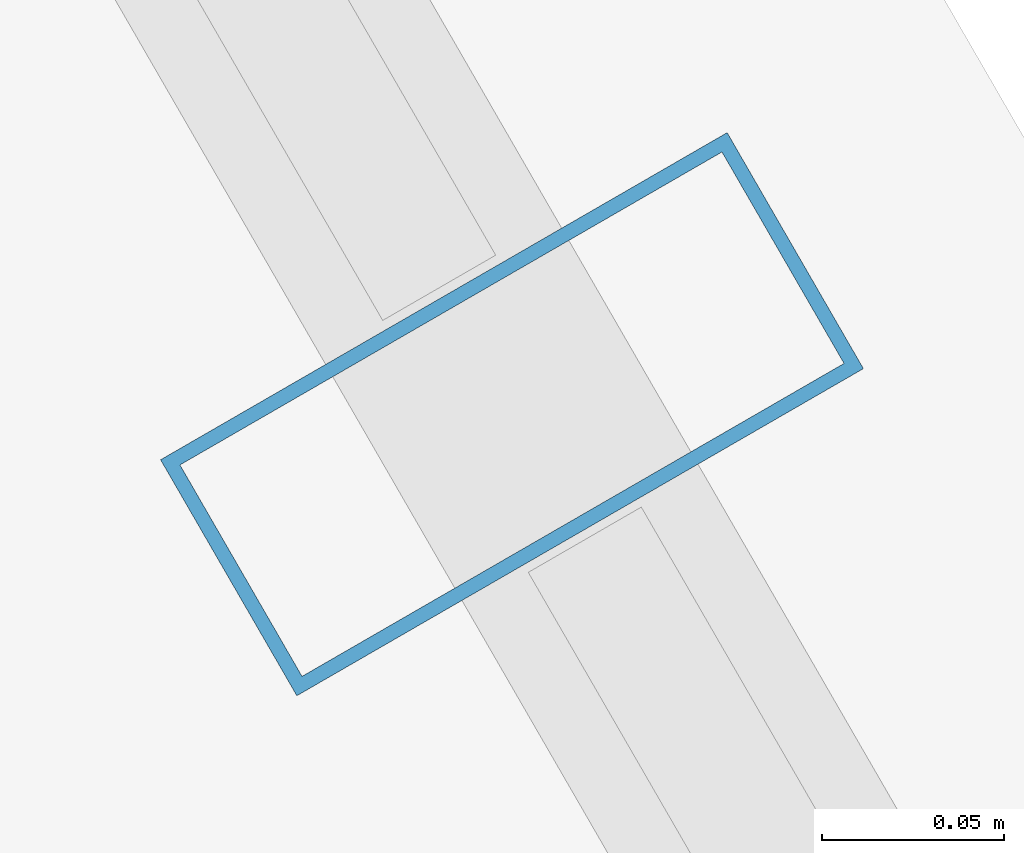
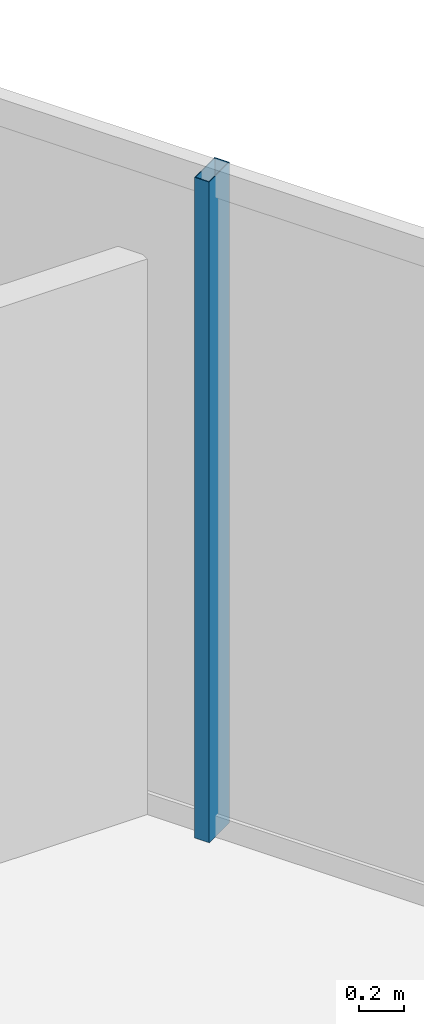
# One storey, part 15 of 34: 1 member, 1 element without a shape of its own.
"""IFC4 building model written with IfcOpenShell, lengths in metres."""

from ifc_helpers import new_model, si_unit, direction, frame, origin, origin_2d, place, context, subcontext, project, spatial, hollow_rectangle, extrude, material, layer, layer_set, material_profile, profile_set, type_object, element, aggregate, save


model = new_model("IFC4")

# Units and contexts
model_context = context("Model", 3, precision=1e-05, world=origin(), true_north=direction((0.0, 1.0)))
body_context = subcontext(model_context, "Body", "Model", "MODEL_VIEW")
ifc_project = project(units=[si_unit("LENGTHUNIT", "METRE"), si_unit("AREAUNIT", "SQUARE_METRE"), si_unit("VOLUMEUNIT", "CUBIC_METRE"), si_unit("PLANEANGLEUNIT", "RADIAN"), si_unit("MASSUNIT", "GRAM", prefix="KILO")], contexts=[model_context])

# Site, building, storey
site_placement = place(None, origin())
site = spatial("IfcSite", under=ifc_project, at=site_placement, CompositionType="ELEMENT")
building_placement = place(site_placement, origin())
building = spatial("IfcBuilding", under=site, at=building_placement, Name="Ndaravel Arena Tower", CompositionType="ELEMENT")
storey_placement = place(building_placement, frame((0.0, 0.0, 195.39990234375)))
storey = spatial("IfcBuildingStorey", under=building, at=storey_placement, Name="L47", CompositionType="ELEMENT", Elevation=195.39990234375)

# Curtain wall, member
ifc_material_1 = material(Name="Aluminium", Category="aluminium")
ifc_layer = layer(ifc_material_1, 0.179931640625)
ifc_layer_set = layer_set([ifc_layer], Name="Aluminium")
curtain_wall_type = type_object("IfcCurtainWallType", Name="CW-SYS-03", PredefinedType="NOTDEFINED", material=ifc_layer_set)
curtain_wall_placement = place(storey_placement, origin())
curtain_wall = element("IfcCurtainWall", 1, at=curtain_wall_placement, inside=storey, type_object=curtain_wall_type, Name="L47 Faceted Crystal Curtain Wall CW-L47-E03", PredefinedType="NOTDEFINED")
ifc_material_2 = material(Name="Aluminium", Category="aluminium")
ifc_material_profile = material_profile(ifc_material_2, hollow_rectangle(XDim=0.074951171875, YDim=0.179931640625, WallThickness=0.00390625, at=origin_2d()), Name="CW MULLION 75x180x4")
ifc_profile_set = profile_set([ifc_material_profile], Name="Aluminium")
member_type = type_object("IfcMemberType", Name="MEM-CW-MUL180", PredefinedType="MULLION", material=ifc_profile_set)
member_placement = place(storey_placement, frame((63.5263671875, 16.67529296875, 0.0), z_axis=(0.0, 0.0, 1.0), x_axis=(-0.5, 0.866025403784, 0.0)))
member = element("IfcMember", 2, at=member_placement, type_object=member_type, Name="CW-L47-E03 Mullion 01", PredefinedType="MULLION", context=body_context, shape_type="SweptSolid", body=[
    extrude(hollow_rectangle(XDim=0.074951171875, YDim=0.179931640625, WallThickness=0.00390625, at=origin_2d()), origin(), (0.0, 0.0, 1.0), 3.580078125),
])
aggregate(curtain_wall, [member])

save(model, "model.ifc")
